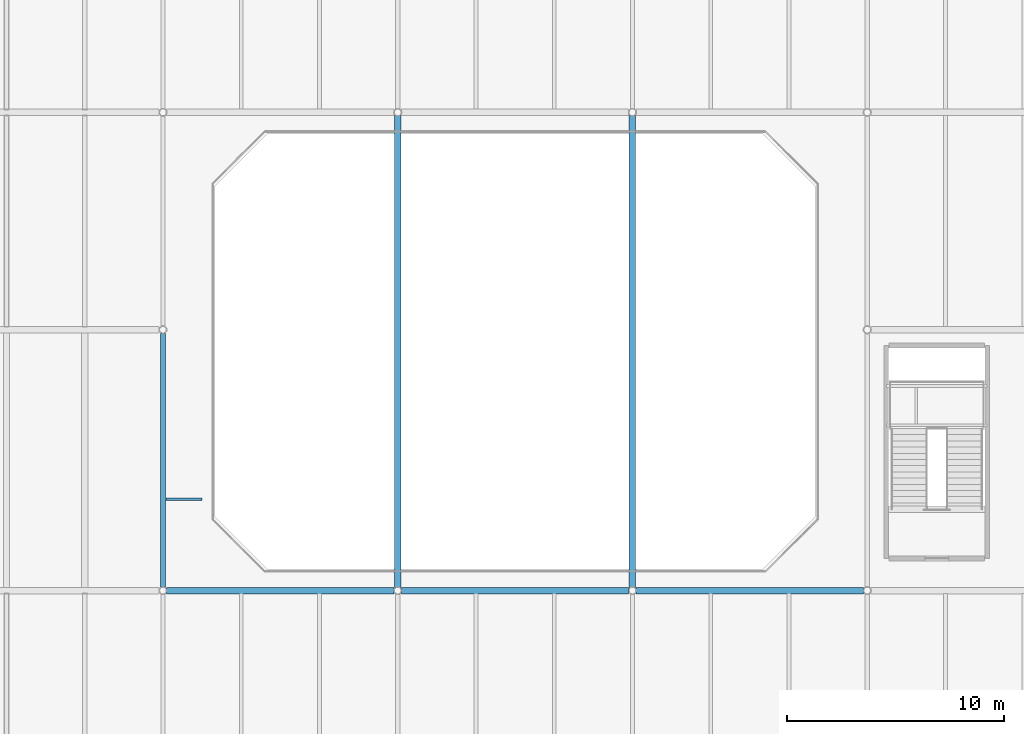
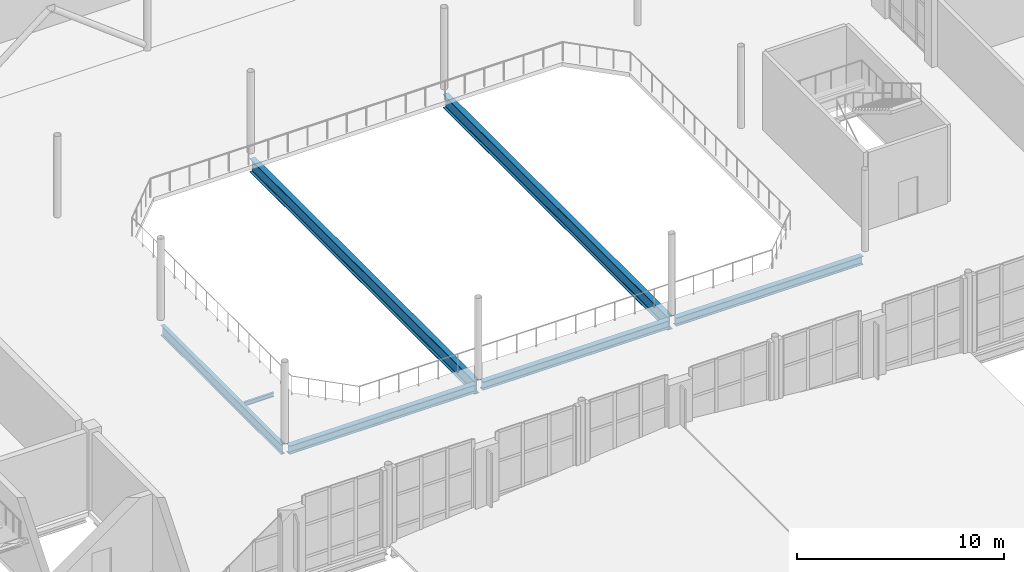
# One storey, part 35 of 92: 7 beams.
"""IFC4 building model written with IfcOpenShell, lengths in metres."""

from ifc_helpers import new_model, si_unit, direction, frame, origin, origin_2d, place, context, subcontext, project, spatial, i_section, extrude, material, material_profile, profile_set, type_object, element, save


model = new_model("IFC4")

# Units and contexts
model_context = context("Model", 3, precision=1e-05, world=origin(), true_north=direction((0.0, 1.0)))
body_context = subcontext(model_context, "Body", "Model", "MODEL_VIEW")
ifc_project = project(units=[si_unit("LENGTHUNIT", "METRE"), si_unit("AREAUNIT", "SQUARE_METRE"), si_unit("VOLUMEUNIT", "CUBIC_METRE"), si_unit("PLANEANGLEUNIT", "RADIAN"), si_unit("MASSUNIT", "GRAM", prefix="KILO")], contexts=[model_context])

# Site, building, storey
site_placement = place(None, origin())
site = spatial("IfcSite", under=ifc_project, at=site_placement, CompositionType="ELEMENT")
building_placement = place(site_placement, origin())
building = spatial("IfcBuilding", under=site, at=building_placement, Name="Tasgan Crest Museum", CompositionType="ELEMENT")
storey_placement = place(building_placement, frame((0.0, 0.0, 4.800048828125)))
storey = spatial("IfcBuildingStorey", under=building, at=storey_placement, Name="L01", CompositionType="ELEMENT", Elevation=4.800048828125)

# Beams
ifc_material_1 = material(Name="Steel S355J2", Category="steel")
ifc_material_profile_1 = material_profile(ifc_material_1, i_section(OverallWidth=0.300048828125, OverallDepth=0.489990234375, WebThickness=0.011962890625, FlangeThickness=0.02294921875, FilletRadius=0.027099609375, at=origin_2d()), Name="HEA 500")
ifc_profile_set_1 = profile_set([ifc_material_profile_1], Name="Steel S355J2")
beam_type_1 = type_object("IfcBeamType", Name="BM-G-HEA500", PredefinedType="BEAM", material=ifc_profile_set_1)
beam_1_placement = place(storey_placement, frame((64.973876953125, 50.0, -0.485107421875), z_axis=(1.0, 0.0, 0.0), x_axis=(0.0, 1.0, 0.0)))
element("IfcBeam", 1, at=beam_1_placement, inside=storey, type_object=beam_type_1, Name="Girder L01 F 64.8-75.6", PredefinedType="BEAM", context=body_context, shape_type="SweptSolid", body=[
    extrude(i_section(OverallWidth=0.300048828125, OverallDepth=0.489990234375, WebThickness=0.011962890625, FlangeThickness=0.02294921875, FilletRadius=0.027099609375, at=origin_2d()), origin(), (0.0, 0.0, 1.0), 10.452392578125),
])
beam_2_placement = place(storey_placement, frame((75.773681640625, 50.0, -0.485107421875), z_axis=(1.0, 0.0, 0.0), x_axis=(0.0, 1.0, 0.0)))
element("IfcBeam", 2, at=beam_2_placement, inside=storey, type_object=beam_type_1, Name="Girder L01 F 75.6-86.4", PredefinedType="BEAM", context=body_context, shape_type="SweptSolid", body=[
    extrude(i_section(OverallWidth=0.300048828125, OverallDepth=0.489990234375, WebThickness=0.011962890625, FlangeThickness=0.02294921875, FilletRadius=0.027099609375, at=origin_2d()), origin(), (0.0, 0.0, 1.0), 10.45263671875),
])
beam_3_placement = place(storey_placement, frame((86.57373046875, 50.0, -0.485107421875), z_axis=(1.0, 0.0, 0.0), x_axis=(0.0, 1.0, 0.0)))
element("IfcBeam", 3, at=beam_3_placement, inside=storey, type_object=beam_type_1, Name="Girder L01 F 86.4-97.2", PredefinedType="BEAM", context=body_context, shape_type="SweptSolid", body=[
    extrude(i_section(OverallWidth=0.300048828125, OverallDepth=0.489990234375, WebThickness=0.011962890625, FlangeThickness=0.02294921875, FilletRadius=0.027099609375, at=origin_2d()), origin(), (0.0, 0.0, 1.0), 10.452392578125),
])
ifc_material_2 = material(Name="Steel S355J2", Category="steel")
ifc_material_profile_2 = material_profile(ifc_material_2, i_section(OverallWidth=0.219970703125, OverallDepth=0.60009765625, WebThickness=0.011962890625, FlangeThickness=0.01904296875, FilletRadius=0.02392578125, at=origin_2d()), Name="IPE 600")
ifc_profile_set_2 = profile_set([ifc_material_profile_2], Name="Steel S355J2")
beam_type_2 = type_object("IfcBeamType", Name="BM-G-IPE600", PredefinedType="BEAM", material=ifc_profile_set_2)
beam_4_placement = place(storey_placement, frame((64.800048828125, 50.1728515625, -0.5400390625), z_axis=(0.0, 1.0, 0.0), x_axis=(-1.0, 0.0, 0.0)))
element("IfcBeam", 4, at=beam_4_placement, inside=storey, type_object=beam_type_2, Name="Beam L01 7 50.0-62.0", PredefinedType="BEAM", context=body_context, shape_type="SweptSolid", body=[
    extrude(i_section(OverallWidth=0.219970703125, OverallDepth=0.60009765625, WebThickness=0.011962890625, FlangeThickness=0.01904296875, FilletRadius=0.02392578125, at=origin_2d()), origin(), (0.0, 0.0, 1.0), 11.654296875),
])
ifc_material_3 = material(Name="Steel S355J2", Category="steel")
ifc_material_profile_3 = material_profile(ifc_material_3, i_section(OverallWidth=0.1201171875, OverallDepth=0.239990234375, WebThickness=0.006103515625, FlangeThickness=0.009765625, FilletRadius=0.014892578125, at=origin_2d()), Name="IPE 240")
ifc_profile_set_3 = profile_set([ifc_material_profile_3], Name="Steel S355J2")
beam_type_3 = type_object("IfcBeamType", Name="BM-LAND-IPE240", PredefinedType="BEAM", material=ifc_profile_set_3)
beam_5_placement = place(storey_placement, frame((64.93994140625, 54.199951171875, -0.360107421875), z_axis=(1.0, 0.0, 0.0), x_axis=(0.0, 1.0, 0.0)))
element("IfcBeam", 5, at=beam_5_placement, inside=storey, type_object=beam_type_3, Name="Ramp top arrival trimmer", PredefinedType="BEAM", context=body_context, shape_type="SweptSolid", body=[
    extrude(i_section(OverallWidth=0.1201171875, OverallDepth=0.239990234375, WebThickness=0.006103515625, FlangeThickness=0.009765625, FilletRadius=0.014892578125, at=origin_2d()), origin(), (0.0, 0.0, 1.0), 1.66015625),
])
ifc_material_4 = material(Name="Steel S355K2", Category="steel")
ifc_material_profile_4 = material_profile(ifc_material_4, i_section(OverallWidth=0.300048828125, OverallDepth=0.800048828125, WebThickness=0.017578125, FlangeThickness=0.032958984375, FilletRadius=0.030029296875, at=origin_2d()), Name="HEB 800")
ifc_profile_set_4 = profile_set([ifc_material_profile_4], Name="Steel S355K2")
beam_type_4 = type_object("IfcBeamType", Name="BM-TG-HEB800", PredefinedType="BEAM", material=ifc_profile_set_4)
for number, where, z_axis, x_axis, name in (
    (6, (75.60009765625, 50.14990234375, -0.64013671875), (0.0, 1.0, 0.0), (-1.0, 0.0, 0.0), "Atrium clear-span girder L01 8"),
    (7, (86.39990234375, 50.14990234375, -0.64013671875), (0.0, 1.0, 0.0), (-1.0, 0.0, 0.0), "Atrium clear-span girder L01 9"),
):
    element("IfcBeam", number, at=place(storey_placement, frame(where, z_axis=z_axis, x_axis=x_axis)), inside=storey, type_object=beam_type_4, Name=name, PredefinedType="BEAM", context=body_context, shape_type="SweptSolid", body=[
        extrude(i_section(OverallWidth=0.300048828125, OverallDepth=0.800048828125, WebThickness=0.017578125, FlangeThickness=0.032958984375, FilletRadius=0.030029296875, at=origin_2d()), origin(), (0.0, 0.0, 1.0), 21.7001953125),
    ])

save(model, "model.ifc")
